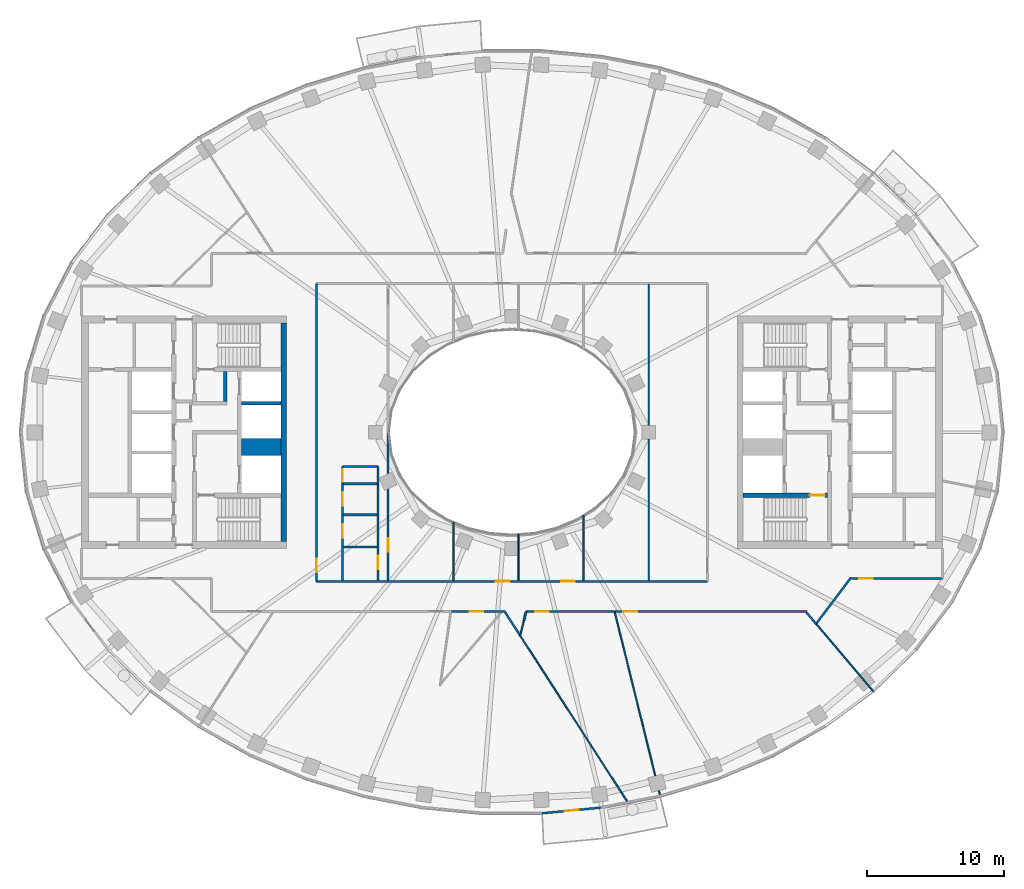
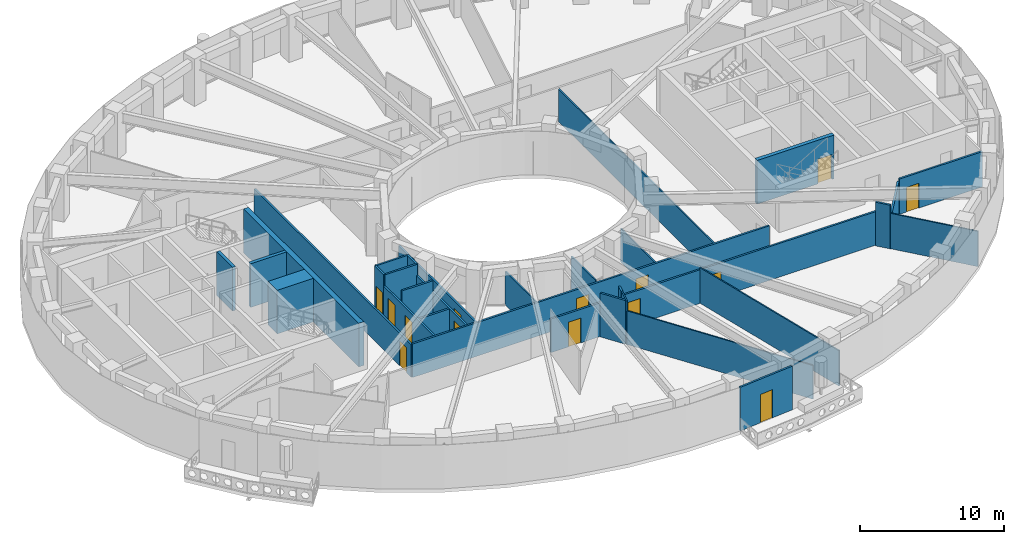
# One storey, part 4 of 16: 33 walls, 14 doors, 14 openings.
"""IFC4 building model written with IfcOpenShell, lengths in metres."""

from ifc_helpers import new_model, si_unit, direction, frame, frame_2d, origin, place, context, subcontext, project, spatial, rectangle, extrude, material, layer, layer_set, type_object, element, fill, save


model = new_model("IFC4")

# Units and contexts
model_context = context("Model", 3, precision=1e-05, world=origin(), true_north=direction((0.0, 1.0)))
body_context = subcontext(model_context, "Body", "Model", "MODEL_VIEW")
ifc_project = project(units=[si_unit("LENGTHUNIT", "METRE"), si_unit("AREAUNIT", "SQUARE_METRE"), si_unit("VOLUMEUNIT", "CUBIC_METRE"), si_unit("PLANEANGLEUNIT", "RADIAN"), si_unit("MASSUNIT", "GRAM", prefix="KILO")], contexts=[model_context])

# Site, building, storey
site_placement = place(None, origin())
site = spatial("IfcSite", under=ifc_project, at=site_placement, CompositionType="ELEMENT")
building_placement = place(site_placement, origin())
building = spatial("IfcBuilding", under=site, at=building_placement, Name="Noorbagh Ring Tower", CompositionType="ELEMENT")
storey_placement = place(building_placement, frame((0.0, 0.0, 257.5)))
storey = spatial("IfcBuildingStorey", under=building, at=storey_placement, Name="L54", CompositionType="ELEMENT", Elevation=257.5)

# Wall, opening, door
ifc_material_1 = material(Name="Gypsum board on steel studs", Category="steel")
ifc_layer_1 = layer(ifc_material_1, 0.14990234375)
ifc_layer_set_1 = layer_set([ifc_layer_1], Name="Gypsum board on steel studs")
wall_type_1 = type_object("IfcWallType", Name="COMPARTMENT PARTITION 150 EI 60", PredefinedType="PARTITIONING", material=ifc_layer_set_1)
wall_1_placement = place(storey_placement, frame((-12.39990234375, -3.760009765625, 0.0), z_axis=(0.0, 0.0, 1.0), x_axis=(0.0, 1.0, 0.0)))
wall_1 = element("IfcWall", 1, at=wall_1_placement, inside=storey, type_object=wall_type_1, Name="L54/wall/P20", PredefinedType="PARTITIONING", context=body_context, shape_type="SweptSolid", body=[
    extrude(rectangle(XDim=1.260009765625, YDim=0.14990234375, at=frame_2d((0.6298828125, 0.0))), origin(), (0.0, 0.0, 1.0), 3.699951171875),
])
opening_1_placement = place(wall_1_placement, frame((0.14990234375, 0.0, 0.0)))
opening_1 = element("IfcOpeningElement", 2, at=opening_1_placement, cuts=wall_1, Name="Opening D4", PredefinedType="OPENING", context=body_context, shape_type="SweptSolid", body=[
    extrude(rectangle(XDim=0.89990234375, YDim=2.10009765625, at=frame_2d((0.449951171875, 1.050048828125))), frame((0.0, 0.0849609375, 0.0), z_axis=(0.0, -1.0, 0.0), x_axis=(1.0, 0.0, 0.0)), (0.0, 0.0, 1.0), 0.169921875),
])
ifc_material_2 = material(Name="Timber, painted", Category="wood")
door_type_1 = type_object("IfcDoorType", Name="DOOR 900 X 2100 FD60", OperationType="SINGLE_SWING_LEFT", PredefinedType="DOOR", material=ifc_material_2)
door_1_placement = place(opening_1_placement, origin())
door_1 = element("IfcDoor", 3, at=door_1_placement, inside=storey, type_object=door_type_1, Name="L54-D05", OperationType="SINGLE_SWING_LEFT", OverallHeight=2.10009765625, OverallWidth=0.89990234375, PredefinedType="DOOR", context=body_context, shape_type="SweptSolid", body=[
    extrude(rectangle(XDim=0.89990234375, YDim=2.10009765625, at=frame_2d((0.449951171875, 1.050048828125))), frame((0.0, 0.02490234375, 0.0), z_axis=(0.0, -1.0, 0.0), x_axis=(1.0, 0.0, 0.0)), (0.0, 0.0, 1.0), 0.050048828125),
])
fill(opening_1, door_1)

# Walls
wall_2_placement = place(storey_placement, frame((-12.39990234375, -3.760009765625, 0.0), z_axis=(0.0, 0.0, 1.0), x_axis=(1.0, 0.0, 0.0)))
element("IfcWall", 4, at=wall_2_placement, inside=storey, type_object=wall_type_1, Name="L54/wall/P21", PredefinedType="PARTITIONING", context=body_context, shape_type="SweptSolid", body=[
    extrude(rectangle(XDim=2.599853515625, YDim=0.14990234375, at=frame_2d((1.2998046875, 0.0))), origin(), (0.0, 0.0, 1.0), 3.699951171875),
])
wall_3_placement = place(storey_placement, frame((-12.39990234375, -2.5, 0.0), z_axis=(0.0, 0.0, 1.0), x_axis=(1.0, 0.0, 0.0)))
element("IfcWall", 5, at=wall_3_placement, inside=storey, type_object=wall_type_1, Name="L54/wall/P22", PredefinedType="PARTITIONING", context=body_context, shape_type="SweptSolid", body=[
    extrude(rectangle(XDim=2.595947265625, YDim=0.14990234375, at=frame_2d((1.2978515625, 0.0))), origin(), (0.0, 0.0, 1.0), 3.699951171875),
])
wall_4_placement = place(storey_placement, frame((-9.800048828125, -3.760009765625, 0.0), z_axis=(0.0, 0.0, 1.0), x_axis=(0.0, 1.0, 0.0)))
element("IfcWall", 6, at=wall_4_placement, inside=storey, type_object=wall_type_1, Name="L54/wall/P24", PredefinedType="PARTITIONING", context=body_context, shape_type="SweptSolid", body=[
    extrude(rectangle(XDim=1.256103515625, YDim=0.14990234375, at=frame_2d((0.6279296875, 0.0))), origin(), (0.0, 0.0, 1.0), 3.699951171875),
])
ifc_material_3 = material(Name="Concrete C60/75", Category="concrete")
ifc_layer_2 = layer(ifc_material_3, 1.25)
ifc_layer_set_2 = layer_set([ifc_layer_2], Name="Concrete C60/75")
wall_type_2 = type_object("IfcWallType", Name="CORE-WALL-1250-C60-75-EI120", PredefinedType="SHEAR", material=ifc_layer_set_2)
wall_5_placement = place(storey_placement, frame((-16.89990234375, -1.074951171875, 0.0), z_axis=(0.0, 0.0, 1.0), x_axis=(-1.0, 0.0, 0.0)))
element("IfcWall", 7, at=wall_5_placement, inside=storey, type_object=wall_type_2, Name="Core wall W", PredefinedType="SHEAR", context=body_context, shape_type="SweptSolid", body=[
    extrude(rectangle(XDim=2.900146484375, YDim=1.25, at=frame_2d((1.4501953125, 0.0))), origin(), (0.0, 0.0, 1.0), 3.699951171875),
])
ifc_material_4 = material(Name="Concrete C60/75", Category="concrete")
ifc_layer_3 = layer(ifc_material_4, 0.25)
ifc_layer_set_3 = layer_set([ifc_layer_3], Name="Concrete C60/75")
wall_type_3 = type_object("IfcWallType", Name="CORE-WALL-250-C60-75-EI120", PredefinedType="SHEAR", material=ifc_layer_set_3)
wall_6_placement = place(storey_placement, frame((-16.89990234375, 2.125, 0.0), z_axis=(0.0, 0.0, 1.0), x_axis=(-1.0, 0.0, 0.0)))
element("IfcWall", 8, at=wall_6_placement, inside=storey, type_object=wall_type_3, Name="Core wall W", PredefinedType="SHEAR", context=body_context, shape_type="SweptSolid", body=[
    extrude(rectangle(XDim=2.900146484375, YDim=0.25, at=frame_2d((1.4501953125, 0.0))), origin(), (0.0, 0.0, 1.0), 3.699951171875),
])
ifc_material_5 = material(Name="Concrete C60/75", Category="concrete")
ifc_layer_4 = layer(ifc_material_5, 0.25)
ifc_layer_set_4 = layer_set([ifc_layer_4], Name="Concrete C60/75")
wall_type_4 = type_object("IfcWallType", Name="CORE-WALL-250-C60-75-EI240", PredefinedType="SHEAR", material=ifc_layer_set_4)
wall_7_placement = place(storey_placement, frame((-20.97509765625, 2.25, 0.0), z_axis=(0.0, 0.0, 1.0), x_axis=(0.0, 1.0, 0.0)))
element("IfcWall", 9, at=wall_7_placement, inside=storey, type_object=wall_type_4, Name="Core wall W", PredefinedType="SHEAR", context=body_context, shape_type="SweptSolid", body=[
    extrude(rectangle(XDim=2.199951171875, YDim=0.25, at=frame_2d((1.10009765625, 0.0))), origin(), (0.0, 0.0, 1.0), 3.699951171875),
])

# Wall, opening, door
ifc_material_6 = material(Name="Concrete C60/75", Category="concrete")
ifc_layer_5 = layer(ifc_material_6, 0.300048828125)
ifc_layer_set_5 = layer_set([ifc_layer_5], Name="Concrete C60/75")
wall_type_5 = type_object("IfcWallType", Name="CORE-WALL-300-C60-75-EI240", PredefinedType="SHEAR", material=ifc_layer_set_5)
wall_8_placement = place(storey_placement, frame((16.89990234375, -4.60009765625, 0.0), z_axis=(0.0, 0.0, 1.0), x_axis=(1.0, 0.0, 0.0)))
wall_8 = element("IfcWall", 10, at=wall_8_placement, inside=storey, type_object=wall_type_5, Name="Core wall E", PredefinedType="SHEAR", context=body_context, shape_type="SweptSolid", body=[
    extrude(rectangle(XDim=6.18017578125, YDim=0.300048828125, at=frame_2d((3.090087890625, 0.0))), origin(), (0.0, 0.0, 1.0), 3.699951171875),
])
opening_2_placement = place(wall_8_placement, frame((4.89990234375, 0.0, 0.0)))
opening_2 = element("IfcOpeningElement", 11, at=opening_2_placement, cuts=wall_8, Name="Opening L54-CE08", PredefinedType="OPENING", context=body_context, shape_type="SweptSolid", body=[
    extrude(rectangle(XDim=1.10009765625, YDim=2.10009765625, at=frame_2d((0.550048828125, 1.050048828125))), frame((0.0, 0.16015625, 0.0), z_axis=(0.0, -1.0, 0.0), x_axis=(1.0, 0.0, 0.0)), (0.0, 0.0, 1.0), 0.320068359375),
])
ifc_material_7 = material(Name="Steel door leaf", Category="steel")
door_type_2 = type_object("IfcDoorType", Name="CORE-DOOR-DSTAIR", OperationType="SINGLE_SWING_LEFT", PredefinedType="DOOR", material=ifc_material_7)
door_2_placement = place(opening_2_placement, origin())
door_2 = element("IfcDoor", 12, at=door_2_placement, inside=storey, type_object=door_type_2, Name="Stair door ST4 L54-CE08", OperationType="SINGLE_SWING_RIGHT", OverallHeight=2.10009765625, OverallWidth=1.10009765625, PredefinedType="DOOR", context=body_context, shape_type="SweptSolid", body=[
    extrude(rectangle(XDim=1.10009765625, YDim=2.10009765625, at=frame_2d((0.550048828125, 1.050048828125))), frame((0.0, 0.02490234375, 0.0), z_axis=(0.0, -1.0, 0.0), x_axis=(1.0, 0.0, 0.0)), (0.0, 0.0, 1.0), 0.050048828125),
])
fill(opening_2, door_2)

# Wall
ifc_material_8 = material(Name="Concrete C60/75", Category="concrete")
ifc_layer_6 = layer(ifc_material_8, 0.39990234375)
ifc_layer_set_6 = layer_set([ifc_layer_6], Name="Concrete C60/75")
wall_type_6 = type_object("IfcWallType", Name="CORE-WALL-400-C60-75-EI240", PredefinedType="SHEAR", material=ifc_layer_set_6)
wall_9_placement = place(storey_placement, frame((-16.699951171875, -8.0, 0.0), z_axis=(0.0, 0.0, 1.0), x_axis=(0.0, 1.0, 0.0)))
element("IfcWall", 13, at=wall_9_placement, inside=storey, type_object=wall_type_6, Name="Core wall W", PredefinedType="SHEAR", context=body_context, shape_type="SweptSolid", body=[
    extrude(rectangle(XDim=16.0, YDim=0.39990234375, at=frame_2d((8.0, 0.0))), origin(), (0.0, 0.0, 1.0), 3.699951171875),
])

# Wall, opening, door
ifc_material_9 = material(Name="Gypsum board on steel studs", Category="steel")
ifc_layer_7 = layer(ifc_material_9, 0.14990234375)
ifc_layer_set_7 = layer_set([ifc_layer_7], Name="Gypsum board on steel studs")
wall_type_7 = type_object("IfcWallType", Name="CORRIDOR PARTITION 150 EI 30", PredefinedType="PARTITIONING", material=ifc_layer_set_7)
wall_10_placement = place(storey_placement, frame((-14.300048828125, -10.89990234375, 0.0), z_axis=(0.0, 0.0, 1.0), x_axis=(0.0, 1.0, 0.0)))
wall_10 = element("IfcWall", 14, at=wall_10_placement, inside=storey, type_object=wall_type_7, Name="L54/wall/P14", PredefinedType="PARTITIONING", context=body_context, shape_type="SweptSolid", body=[
    extrude(rectangle(XDim=21.7998046875, YDim=0.14990234375, at=frame_2d((10.89990234375, 0.0))), origin(), (0.0, 0.0, 1.0), 2.75),
])
opening_3_placement = place(wall_10_placement, frame((0.64990234375, 0.0, 0.0)))
opening_3 = element("IfcOpeningElement", 15, at=opening_3_placement, cuts=wall_10, Name="Opening D1", PredefinedType="OPENING", context=body_context, shape_type="SweptSolid", body=[
    extrude(rectangle(XDim=1.0, YDim=2.10009765625, at=frame_2d((0.5, 1.050048828125))), frame((0.0, 0.0849609375, 0.0), z_axis=(0.0, -1.0, 0.0), x_axis=(1.0, 0.0, 0.0)), (0.0, 0.0, 1.0), 0.169921875),
])
ifc_material_10 = material(Name="Timber, painted", Category="wood")
door_type_3 = type_object("IfcDoorType", Name="DOOR 1000 X 2100 FD30", OperationType="SINGLE_SWING_LEFT", PredefinedType="DOOR", material=ifc_material_10)
door_3_placement = place(opening_3_placement, origin())
door_3 = element("IfcDoor", 16, at=door_3_placement, inside=storey, type_object=door_type_3, Name="L54-D01", OperationType="SINGLE_SWING_LEFT", OverallHeight=2.10009765625, OverallWidth=1.0, PredefinedType="DOOR", context=body_context, shape_type="SweptSolid", body=[
    extrude(rectangle(XDim=1.0, YDim=2.10009765625, at=frame_2d((0.5, 1.050048828125))), frame((0.0, 0.02490234375, 0.0), z_axis=(0.0, -1.0, 0.0), x_axis=(1.0, 0.0, 0.0)), (0.0, 0.0, 1.0), 0.050048828125),
])
fill(opening_3, door_3)

# Wall, openings, doors
wall_11_placement = place(storey_placement, frame((-14.300048828125, -10.89990234375, 0.0), z_axis=(0.0, 0.0, 1.0), x_axis=(1.0, 0.0, 0.0)))
wall_11 = element("IfcWall", 17, at=wall_11_placement, inside=storey, type_object=wall_type_7, Name="L54/wall/P15", PredefinedType="PARTITIONING", context=body_context, shape_type="SweptSolid", body=[
    extrude(rectangle(XDim=28.60009765625, YDim=0.14990234375, at=frame_2d((14.300048828125, 0.0))), origin(), (0.0, 0.0, 1.0), 2.85009765625),
])
opening_4_placement = place(wall_11_placement, frame((13.126953125, 0.0, 0.0)))
opening_4 = element("IfcOpeningElement", 18, at=opening_4_placement, cuts=wall_11, Name="Opening D1", PredefinedType="OPENING", context=body_context, shape_type="SweptSolid", body=[
    extrude(rectangle(XDim=1.0, YDim=2.10009765625, at=frame_2d((0.5, 1.050048828125))), frame((0.0, 0.0849609375, 0.0), z_axis=(0.0, -1.0, 0.0), x_axis=(1.0, 0.0, 0.0)), (0.0, 0.0, 1.0), 0.169921875),
])
opening_5_placement = place(wall_11_placement, frame((17.89306640625, 0.0, 0.0)))
opening_5 = element("IfcOpeningElement", 19, at=opening_5_placement, cuts=wall_11, Name="Opening D1", PredefinedType="OPENING", context=body_context, shape_type="SweptSolid", body=[
    extrude(rectangle(XDim=1.0, YDim=2.10009765625, at=frame_2d((0.5, 1.050048828125))), frame((0.0, 0.0849609375, 0.0), z_axis=(0.0, -1.0, 0.0), x_axis=(1.0, 0.0, 0.0)), (0.0, 0.0, 1.0), 0.169921875),
])
door_4_placement = place(opening_4_placement, origin())
door_4 = element("IfcDoor", 20, at=door_4_placement, inside=storey, type_object=door_type_3, Name="L54-D21", OperationType="SINGLE_SWING_LEFT", OverallHeight=2.10009765625, OverallWidth=1.0, PredefinedType="DOOR", context=body_context, shape_type="SweptSolid", body=[
    extrude(rectangle(XDim=1.0, YDim=2.10009765625, at=frame_2d((0.5, 1.050048828125))), frame((0.0, 0.02490234375, 0.0), z_axis=(0.0, -1.0, 0.0), x_axis=(1.0, 0.0, 0.0)), (0.0, 0.0, 1.0), 0.050048828125),
])
fill(opening_4, door_4)
door_5_placement = place(opening_5_placement, origin())
door_5 = element("IfcDoor", 21, at=door_5_placement, inside=storey, type_object=door_type_3, Name="L54-D23", OperationType="SINGLE_SWING_LEFT", OverallHeight=2.10009765625, OverallWidth=1.0, PredefinedType="DOOR", context=body_context, shape_type="SweptSolid", body=[
    extrude(rectangle(XDim=1.0, YDim=2.10009765625, at=frame_2d((0.5, 1.050048828125))), frame((0.0, 0.02490234375, 0.0), z_axis=(0.0, -1.0, 0.0), x_axis=(1.0, 0.0, 0.0)), (0.0, 0.0, 1.0), 0.050048828125),
])
fill(opening_5, door_5)

wall_12_placement = place(storey_placement, frame((-12.39990234375, -10.824951171875, 0.0), z_axis=(0.0, 0.0, 1.0), x_axis=(0.0, 1.0, 0.0)))
wall_12 = element("IfcWall", 22, at=wall_12_placement, inside=storey, type_object=wall_type_7, Name="L54/wall/P17", PredefinedType="PARTITIONING", context=body_context, shape_type="SweptSolid", body=[
    extrude(rectangle(XDim=7.06494140625, YDim=0.14990234375, at=frame_2d((3.532470703125, 0.0))), origin(), (0.0, 0.0, 1.0), 2.75),
])
opening_6_placement = place(wall_12_placement, frame((3.094970703125, 0.0, 0.0)))
opening_6 = element("IfcOpeningElement", 23, at=opening_6_placement, cuts=wall_12, Name="Opening D3", PredefinedType="OPENING", context=body_context, shape_type="SweptSolid", body=[
    extrude(rectangle(XDim=1.0, YDim=2.10009765625, at=frame_2d((0.5, 1.050048828125))), frame((0.0, 0.0849609375, 0.0), z_axis=(0.0, -1.0, 0.0), x_axis=(1.0, 0.0, 0.0)), (0.0, 0.0, 1.0), 0.169921875),
])
opening_7_placement = place(wall_12_placement, frame((5.447021484375, 0.0, 0.0)))
opening_7 = element("IfcOpeningElement", 24, at=opening_7_placement, cuts=wall_12, Name="Opening D3", PredefinedType="OPENING", context=body_context, shape_type="SweptSolid", body=[
    extrude(rectangle(XDim=1.0, YDim=2.10009765625, at=frame_2d((0.5, 1.050048828125))), frame((0.0, 0.0849609375, 0.0), z_axis=(0.0, -1.0, 0.0), x_axis=(1.0, 0.0, 0.0)), (0.0, 0.0, 1.0), 0.169921875),
])
ifc_material_11 = material(Name="Timber, painted", Category="wood")
door_type_4 = type_object("IfcDoorType", Name="DOOR 1000 X 2100 WC", OperationType="SINGLE_SWING_LEFT", PredefinedType="DOOR", material=ifc_material_11)
door_6_placement = place(opening_6_placement, origin())
door_6 = element("IfcDoor", 25, at=door_6_placement, inside=storey, type_object=door_type_4, Name="L54-D03", OperationType="SINGLE_SWING_LEFT", OverallHeight=2.10009765625, OverallWidth=1.0, PredefinedType="DOOR", context=body_context, shape_type="SweptSolid", body=[
    extrude(rectangle(XDim=1.0, YDim=2.10009765625, at=frame_2d((0.5, 1.050048828125))), frame((0.0, 0.02490234375, 0.0), z_axis=(0.0, -1.0, 0.0), x_axis=(1.0, 0.0, 0.0)), (0.0, 0.0, 1.0), 0.050048828125),
])
fill(opening_6, door_6)
door_7_placement = place(opening_7_placement, origin())
door_7 = element("IfcDoor", 26, at=door_7_placement, inside=storey, type_object=door_type_4, Name="L54-D04", OperationType="SINGLE_SWING_RIGHT", OverallHeight=2.10009765625, OverallWidth=1.0, PredefinedType="DOOR", context=body_context, shape_type="SweptSolid", body=[
    extrude(rectangle(XDim=1.0, YDim=2.10009765625, at=frame_2d((0.5, 1.050048828125))), frame((0.0, 0.02490234375, 0.0), z_axis=(0.0, -1.0, 0.0), x_axis=(1.0, 0.0, 0.0)), (0.0, 0.0, 1.0), 0.050048828125),
])
fill(opening_7, door_7)

# Walls
wall_13_placement = place(storey_placement, frame((-12.324951171875, -8.3798828125, 0.0), z_axis=(0.0, 0.0, 1.0), x_axis=(1.0, 0.0, 0.0)))
element("IfcWall", 27, at=wall_13_placement, inside=storey, type_object=wall_type_7, Name="L54/wall/P18", PredefinedType="PARTITIONING", context=body_context, shape_type="SweptSolid", body=[
    extrude(rectangle(XDim=2.449951171875, YDim=0.14990234375, at=frame_2d((1.22509765625, 0.0))), origin(), (0.0, 0.0, 1.0), 2.75),
])
wall_14_placement = place(storey_placement, frame((-12.324951171875, -6.028076171875, 0.0), z_axis=(0.0, 0.0, 1.0), x_axis=(1.0, 0.0, 0.0)))
element("IfcWall", 28, at=wall_14_placement, inside=storey, type_object=wall_type_7, Name="L54/wall/P19", PredefinedType="PARTITIONING", context=body_context, shape_type="SweptSolid", body=[
    extrude(rectangle(XDim=2.449951171875, YDim=0.14990234375, at=frame_2d((1.22509765625, 0.0))), origin(), (0.0, 0.0, 1.0), 3.699951171875),
])

# Wall, opening, door
wall_15_placement = place(storey_placement, frame((-9.800048828125, -10.824951171875, 0.0), z_axis=(0.0, 0.0, 1.0), x_axis=(0.0, 1.0, 0.0)))
wall_15 = element("IfcWall", 29, at=wall_15_placement, inside=storey, type_object=wall_type_7, Name="L54/wall/P23", PredefinedType="PARTITIONING", context=body_context, shape_type="SweptSolid", body=[
    extrude(rectangle(XDim=7.06494140625, YDim=0.14990234375, at=frame_2d((3.532470703125, 0.0))), origin(), (0.0, 0.0, 1.0), 2.75),
])
opening_8_placement = place(wall_15_placement, frame((0.794921875, 0.0, 0.0)))
opening_8 = element("IfcOpeningElement", 30, at=opening_8_placement, cuts=wall_15, Name="Opening D3", PredefinedType="OPENING", context=body_context, shape_type="SweptSolid", body=[
    extrude(rectangle(XDim=1.0, YDim=2.10009765625, at=frame_2d((0.5, 1.050048828125))), frame((0.0, 0.0849609375, 0.0), z_axis=(0.0, -1.0, 0.0), x_axis=(1.0, 0.0, 0.0)), (0.0, 0.0, 1.0), 0.169921875),
])
door_8_placement = place(opening_8_placement, origin())
door_8 = element("IfcDoor", 31, at=door_8_placement, inside=storey, type_object=door_type_4, Name="L54-D02", OperationType="SINGLE_SWING_RIGHT", OverallHeight=2.10009765625, OverallWidth=1.0, PredefinedType="DOOR", context=body_context, shape_type="SweptSolid", body=[
    extrude(rectangle(XDim=1.0, YDim=2.10009765625, at=frame_2d((0.5, 1.050048828125))), frame((0.0, 0.02490234375, 0.0), z_axis=(0.0, -1.0, 0.0), x_axis=(1.0, 0.0, 0.0)), (0.0, 0.0, 1.0), 0.050048828125),
])
fill(opening_8, door_8)

wall_16_placement = place(storey_placement, frame((-9.056884765625, -10.824951171875, 0.0), z_axis=(0.0, 0.0, 1.0), x_axis=(0.0, 1.0, 0.0)))
wall_16 = element("IfcWall", 32, at=wall_16_placement, inside=storey, type_object=wall_type_7, Name="L54/wall/P25", PredefinedType="PARTITIONING", context=body_context, shape_type="SweptSolid", body=[
    extrude(rectangle(XDim=10.780029296875, YDim=0.14990234375, at=frame_2d((5.39013671875, 0.0))), origin(), (0.0, 0.0, 1.0), 2.75),
])
opening_9_placement = place(wall_16_placement, frame((2.074951171875, 0.0, 0.0)))
opening_9 = element("IfcOpeningElement", 33, at=opening_9_placement, cuts=wall_16, Name="Opening D1", PredefinedType="OPENING", context=body_context, shape_type="SweptSolid", body=[
    extrude(rectangle(XDim=1.0, YDim=2.10009765625, at=frame_2d((0.5, 1.050048828125))), frame((0.0, 0.0849609375, 0.0), z_axis=(0.0, -1.0, 0.0), x_axis=(1.0, 0.0, 0.0)), (0.0, 0.0, 1.0), 0.169921875),
])
door_9_placement = place(opening_9_placement, origin())
door_9 = element("IfcDoor", 34, at=door_9_placement, inside=storey, type_object=door_type_3, Name="L54-D19", OperationType="SINGLE_SWING_LEFT", OverallHeight=2.10009765625, OverallWidth=1.0, PredefinedType="DOOR", context=body_context, shape_type="SweptSolid", body=[
    extrude(rectangle(XDim=1.0, YDim=2.10009765625, at=frame_2d((0.5, 1.050048828125))), frame((0.0, 0.02490234375, 0.0), z_axis=(0.0, -1.0, 0.0), x_axis=(1.0, 0.0, 0.0)), (0.0, 0.0, 1.0), 0.050048828125),
])
fill(opening_9, door_9)

wall_17_placement = place(storey_placement, frame((-4.472900390625, -13.10009765625, 0.0), z_axis=(0.0, 0.0, 1.0), x_axis=(1.0, 0.0, 0.0)))
wall_17 = element("IfcWall", 35, at=wall_17_placement, inside=storey, type_object=wall_type_7, Name="L54/wall/P29", PredefinedType="PARTITIONING", context=body_context, shape_type="SweptSolid", body=[
    extrude(rectangle(XDim=4.014892578125, YDim=0.14990234375, at=frame_2d((2.00732421875, 0.0))), origin(), (0.0, 0.0, 1.0), 2.85009765625),
])
opening_10_placement = place(wall_17_placement, frame((1.3798828125, 0.0, 0.0)))
opening_10 = element("IfcOpeningElement", 36, at=opening_10_placement, cuts=wall_17, Name="Opening D1", PredefinedType="OPENING", context=body_context, shape_type="SweptSolid", body=[
    extrude(rectangle(XDim=1.0, YDim=2.10009765625, at=frame_2d((0.5, 1.050048828125))), frame((0.0, 0.0849609375, 0.0), z_axis=(0.0, -1.0, 0.0), x_axis=(1.0, 0.0, 0.0)), (0.0, 0.0, 1.0), 0.169921875),
])
door_10_placement = place(opening_10_placement, origin())
door_10 = element("IfcDoor", 37, at=door_10_placement, inside=storey, type_object=door_type_3, Name="L54-D12", OperationType="SINGLE_SWING_RIGHT", OverallHeight=2.10009765625, OverallWidth=1.0, PredefinedType="DOOR", context=body_context, shape_type="SweptSolid", body=[
    extrude(rectangle(XDim=1.0, YDim=2.10009765625, at=frame_2d((0.5, 1.050048828125))), frame((0.0, 0.02490234375, 0.0), z_axis=(0.0, -1.0, 0.0), x_axis=(1.0, 0.0, 0.0)), (0.0, 0.0, 1.0), 0.050048828125),
])
fill(opening_10, door_10)

# Walls
wall_18_placement = place(storey_placement, frame((-0.4990234375, -13.175048828125, 0.0), z_axis=(0.0, 0.0, 1.0), x_axis=(0.543076749494, -0.839683061732, 0.0)))
element("IfcWall", 38, at=wall_18_placement, inside=storey, type_object=wall_type_7, Name="L54/wall/P33", PredefinedType="PARTITIONING", context=body_context, shape_type="SweptSolid", body=[
    extrude(rectangle(XDim=1.97216796875, YDim=0.14990234375, at=frame_2d((0.986083984375, 0.0))), origin(), (0.0, 0.0, 1.0), 3.699951171875),
])
wall_19_placement = place(storey_placement, frame((0.8720703125, -13.760986328125, 0.0), z_axis=(0.0, 0.0, 1.0), x_axis=(0.241387149241, 0.970428897025, 0.0)))
element("IfcWall", 39, at=wall_19_placement, inside=storey, type_object=wall_type_7, Name="L54/wall/P41", PredefinedType="PARTITIONING", context=body_context, shape_type="SweptSolid", body=[
    extrude(rectangle(XDim=0.650390625, YDim=0.14990234375, at=frame_2d((0.3251953125, 0.0))), origin(), (0.0, 0.0, 1.0), 3.699951171875),
])

# Wall, opening, door
wall_20_placement = place(storey_placement, frame((1.035888671875, -13.10009765625, 0.0), z_axis=(0.0, 0.0, 1.0), x_axis=(1.0, 0.0, 0.0)))
wall_20 = element("IfcWall", 40, at=wall_20_placement, inside=storey, type_object=wall_type_7, Name="L54/wall/P42", PredefinedType="PARTITIONING", context=body_context, shape_type="SweptSolid", body=[
    extrude(rectangle(XDim=6.47119140625, YDim=0.14990234375, at=frame_2d((3.235595703125, 0.0))), origin(), (0.0, 0.0, 1.0), 2.85009765625),
])
opening_11_placement = place(wall_20_placement, frame((0.64990234375, 0.0, 0.0)))
opening_11 = element("IfcOpeningElement", 41, at=opening_11_placement, cuts=wall_20, Name="Opening D1", PredefinedType="OPENING", context=body_context, shape_type="SweptSolid", body=[
    extrude(rectangle(XDim=1.0, YDim=2.10009765625, at=frame_2d((0.5, 1.050048828125))), frame((0.0, 0.0849609375, 0.0), z_axis=(0.0, -1.0, 0.0), x_axis=(1.0, 0.0, 0.0)), (0.0, 0.0, 1.0), 0.169921875),
])
door_11_placement = place(opening_11_placement, origin())
door_11 = element("IfcDoor", 42, at=door_11_placement, inside=storey, type_object=door_type_3, Name="L54-D13", OperationType="SINGLE_SWING_LEFT", OverallHeight=2.10009765625, OverallWidth=1.0, PredefinedType="DOOR", context=body_context, shape_type="SweptSolid", body=[
    extrude(rectangle(XDim=1.0, YDim=2.10009765625, at=frame_2d((0.5, 1.050048828125))), frame((0.0, 0.02490234375, 0.0), z_axis=(0.0, -1.0, 0.0), x_axis=(1.0, 0.0, 0.0)), (0.0, 0.0, 1.0), 0.050048828125),
])
fill(opening_11, door_11)

wall_21_placement = place(storey_placement, frame((7.52392578125, -13.10009765625, 0.0), z_axis=(0.0, 0.0, 1.0), x_axis=(1.0, 0.0, 0.0)))
wall_21 = element("IfcWall", 43, at=wall_21_placement, inside=storey, type_object=wall_type_7, Name="L54/wall/P48", PredefinedType="PARTITIONING", context=body_context, shape_type="SweptSolid", body=[
    extrude(rectangle(XDim=14.052001953125, YDim=0.14990234375, at=frame_2d((7.02587890625, 0.0))), origin(), (0.0, 0.0, 1.0), 2.85009765625),
])
opening_12_placement = place(wall_21_placement, frame((0.633056640625, 0.0, 0.0)))
opening_12 = element("IfcOpeningElement", 44, at=opening_12_placement, cuts=wall_21, Name="Opening D1", PredefinedType="OPENING", context=body_context, shape_type="SweptSolid", body=[
    extrude(rectangle(XDim=1.0, YDim=2.10009765625, at=frame_2d((0.5, 1.050048828125))), frame((0.0, 0.0849609375, 0.0), z_axis=(0.0, -1.0, 0.0), x_axis=(1.0, 0.0, 0.0)), (0.0, 0.0, 1.0), 0.169921875),
])
door_12_placement = place(opening_12_placement, origin())
door_12 = element("IfcDoor", 45, at=door_12_placement, inside=storey, type_object=door_type_3, Name="L54-D15", OperationType="SINGLE_SWING_LEFT", OverallHeight=2.10009765625, OverallWidth=1.0, PredefinedType="DOOR", context=body_context, shape_type="SweptSolid", body=[
    extrude(rectangle(XDim=1.0, YDim=2.10009765625, at=frame_2d((0.5, 1.050048828125))), frame((0.0, 0.02490234375, 0.0), z_axis=(0.0, -1.0, 0.0), x_axis=(1.0, 0.0, 0.0)), (0.0, 0.0, 1.0), 0.050048828125),
])
fill(opening_12, door_12)

# Walls
wall_22_placement = place(storey_placement, frame((21.541015625, -13.175048828125, 0.0), z_axis=(0.0, 0.0, 1.0), x_axis=(0.646460291141, -0.762947633837, 0.0)))
element("IfcWall", 46, at=wall_22_placement, inside=storey, type_object=wall_type_7, Name="L54/wall/P52", PredefinedType="PARTITIONING", context=body_context, shape_type="SweptSolid", body=[
    extrude(rectangle(XDim=1.09814453125, YDim=0.14990234375, at=frame_2d((0.549072265625, 0.0))), origin(), (0.0, 0.0, 1.0), 3.699951171875),
])
wall_23_placement = place(storey_placement, frame((22.2509765625, -14.012939453125, 0.0), z_axis=(0.0, 0.0, 1.0), x_axis=(0.602435944628, 0.798167233492, 0.0)))
element("IfcWall", 47, at=wall_23_placement, inside=storey, type_object=wall_type_7, Name="L54/wall/P54", PredefinedType="PARTITIONING", context=body_context, shape_type="SweptSolid", body=[
    extrude(rectangle(XDim=4.24462890625, YDim=0.14990234375, at=frame_2d((2.122314453125, 0.0))), origin(), (0.0, 0.0, 1.0), 2.75),
])

# Wall, opening, door
wall_24_placement = place(storey_placement, frame((24.844970703125, -10.699951171875, 0.0), z_axis=(0.0, 0.0, 1.0), x_axis=(1.0, 0.0, 0.0)))
wall_24 = element("IfcWall", 48, at=wall_24_placement, inside=storey, type_object=wall_type_7, Name="L54/wall/P58", PredefinedType="PARTITIONING", context=body_context, shape_type="SweptSolid", body=[
    extrude(rectangle(XDim=6.655029296875, YDim=0.14990234375, at=frame_2d((3.32763671875, 0.0))), origin(), (0.0, 0.0, 1.0), 3.0),
])
opening_13_placement = place(wall_24_placement, frame((0.555908203125, 0.0, 0.0)))
opening_13 = element("IfcOpeningElement", 49, at=opening_13_placement, cuts=wall_24, Name="Opening D1", PredefinedType="OPENING", context=body_context, shape_type="SweptSolid", body=[
    extrude(rectangle(XDim=1.0, YDim=2.10009765625, at=frame_2d((0.5, 1.050048828125))), frame((0.0, 0.0849609375, 0.0), z_axis=(0.0, -1.0, 0.0), x_axis=(1.0, 0.0, 0.0)), (0.0, 0.0, 1.0), 0.169921875),
])
door_13_placement = place(opening_13_placement, origin())
door_13 = element("IfcDoor", 50, at=door_13_placement, inside=storey, type_object=door_type_3, Name="L54-D17", OperationType="SINGLE_SWING_LEFT", OverallHeight=2.10009765625, OverallWidth=1.0, PredefinedType="DOOR", context=body_context, shape_type="SweptSolid", body=[
    extrude(rectangle(XDim=1.0, YDim=2.10009765625, at=frame_2d((0.5, 1.050048828125))), frame((0.0, 0.02490234375, 0.0), z_axis=(0.0, -1.0, 0.0), x_axis=(1.0, 0.0, 0.0)), (0.0, 0.0, 1.0), 0.050048828125),
])
fill(opening_13, door_13)

ifc_material_12 = material(Name="Insulated aluminium clad panel", Category="aluminium")
ifc_layer_8 = layer(ifc_material_12, 0.14990234375)
ifc_layer_set_8 = layer_set([ifc_layer_8], Name="Insulated aluminium clad panel")
wall_type_8 = type_object("IfcWallType", Name="ENV-WALL-DOOR", PredefinedType="STANDARD", material=ifc_layer_set_8)
wall_25_placement = place(storey_placement, frame((2.166259765625, -27.875244140625, 0.0), z_axis=(0.0, 0.0, 1.0), x_axis=(0.995473879823, 0.095035543824, 0.0)))
wall_25 = element("IfcWall", 51, at=wall_25_placement, inside=storey, type_object=wall_type_8, Name="Balcony door wall chord 36", PredefinedType="STANDARD", context=body_context, shape_type="SweptSolid", body=[
    extrude(rectangle(XDim=4.42626953125, YDim=0.14990234375, at=frame_2d((2.213134765625, 0.0))), origin(), (0.0, 0.0, 1.0), 3.699951171875),
])
opening_14_placement = place(wall_25_placement, frame((1.713134765625, 0.0, 0.0)))
opening_14 = element("IfcOpeningElement", 52, at=opening_14_placement, cuts=wall_25, Name="Opening D-BL", PredefinedType="OPENING", context=body_context, shape_type="SweptSolid", body=[
    extrude(rectangle(XDim=1.0, YDim=2.39990234375, at=frame_2d((0.5, 1.199951171875))), frame((0.0, 0.0849609375, 0.0), z_axis=(0.0, -1.0, 0.0), x_axis=(1.0, 0.0, 0.0)), (0.0, 0.0, 1.0), 0.169921875),
])
ifc_material_13 = material(Name="Aluminium and glass", Category="aluminium")
door_type_5 = type_object("IfcDoorType", Name="ENV-DOOR-BALCONY", OperationType="SINGLE_SWING_LEFT", PredefinedType="DOOR", material=ifc_material_13)
door_14_placement = place(opening_14_placement, origin())
door_14 = element("IfcDoor", 53, at=door_14_placement, inside=storey, type_object=door_type_5, Name="Balcony door chord 36", OperationType="SINGLE_SWING_LEFT", OverallHeight=2.39990234375, OverallWidth=1.0, PredefinedType="DOOR", context=body_context, shape_type="SweptSolid", body=[
    extrude(rectangle(XDim=1.0, YDim=2.39990234375, at=frame_2d((0.5, 1.199951171875))), frame((0.0, 0.02490234375, 0.0), z_axis=(0.0, -1.0, 0.0), x_axis=(1.0, 0.0, 0.0)), (0.0, 0.0, 1.0), 0.050048828125),
])
fill(opening_14, door_14)

# Walls
ifc_material_14 = material(Name="Gypsum board on steel studs", Category="steel")
ifc_layer_9 = layer(ifc_material_14, 0.10009765625)
ifc_layer_set_9 = layer_set([ifc_layer_9], Name="Gypsum board on steel studs")
wall_type_9 = type_object("IfcWallType", Name="PARTITION 100 GYPSUM", PredefinedType="PARTITIONING", material=ifc_layer_set_9)
wall_26_placement = place(storey_placement, frame((-4.2900390625, -10.824951171875, 0.0), z_axis=(0.0, 0.0, 1.0), x_axis=(0.0, 1.0, 0.0)))
element("IfcWall", 54, at=wall_26_placement, inside=storey, type_object=wall_type_9, Name="L54/wall/P30", PredefinedType="PARTITIONING", context=body_context, shape_type="SweptSolid", body=[
    extrude(rectangle(XDim=4.2568359375, YDim=0.10009765625, at=frame_2d((2.12841796875, 0.0))), origin(), (0.0, 0.0, 1.0), 2.85009765625),
])
wall_27_placement = place(storey_placement, frame((0.47705078125, -10.824951171875, 0.0), z_axis=(0.0, 0.0, 1.0), x_axis=(0.0, 1.0, 0.0)))
element("IfcWall", 55, at=wall_27_placement, inside=storey, type_object=wall_type_9, Name="L54/wall/P36", PredefinedType="PARTITIONING", context=body_context, shape_type="SweptSolid", body=[
    extrude(rectangle(XDim=3.35693359375, YDim=0.10009765625, at=frame_2d((1.678466796875, 0.0))), origin(), (0.0, 0.0, 1.0), 3.0),
])
wall_28_placement = place(storey_placement, frame((0.58203125, -14.94091796875, 0.0), z_axis=(0.0, 0.0, 1.0), x_axis=(0.239461959579, 0.970905747184, 0.0)))
element("IfcWall", 56, at=wall_28_placement, inside=storey, type_object=wall_type_9, Name="L54/wall/P38", PredefinedType="PARTITIONING", context=body_context, shape_type="SweptSolid", body=[
    extrude(rectangle(XDim=1.21533203125, YDim=0.10009765625, at=frame_2d((0.607666015625, 0.0))), origin(), (0.0, 0.0, 1.0), 3.699951171875),
])
wall_29_placement = place(storey_placement, frame((0.635009765625, -14.931884765625, 0.0), z_axis=(0.0, 0.0, 1.0), x_axis=(0.54231954128, -0.840172312771, 0.0)))
element("IfcWall", 57, at=wall_29_placement, inside=storey, type_object=wall_type_9, Name="L54/wall/P39", PredefinedType="PARTITIONING", context=body_context, shape_type="SweptSolid", body=[
    extrude(rectangle(XDim=14.487548828125, YDim=0.10009765625, at=frame_2d((7.24365234375, 0.0))), origin(), (0.0, 0.0, 1.0), 2.85009765625),
])
wall_30_placement = place(storey_placement, frame((5.242919921875, -10.824951171875, 0.0), z_axis=(0.0, 0.0, 1.0), x_axis=(0.0, 1.0, 0.0)))
element("IfcWall", 58, at=wall_30_placement, inside=storey, type_object=wall_type_9, Name="L54/wall/P44", PredefinedType="PARTITIONING", context=body_context, shape_type="SweptSolid", body=[
    extrude(rectangle(XDim=4.765869140625, YDim=0.10009765625, at=frame_2d((2.3828125, 0.0))), origin(), (0.0, 0.0, 1.0), 2.85009765625),
])
wall_31_placement = place(storey_placement, frame((7.507080078125, -13.10009765625, 0.0), z_axis=(0.0, 0.0, 1.0), x_axis=(0.239932883661, -0.970789478382, 0.0)))
element("IfcWall", 59, at=wall_31_placement, inside=storey, type_object=wall_type_9, Name="L54/wall/P46", PredefinedType="PARTITIONING", context=body_context, shape_type="SweptSolid", body=[
    extrude(rectangle(XDim=13.953369140625, YDim=0.10009765625, at=frame_2d((6.9765625, 0.0))), origin(), (0.0, 0.0, 1.0), 3.0),
])
wall_32_placement = place(storey_placement, frame((10.010009765625, -10.824951171875, 0.0), z_axis=(0.0, 0.0, 1.0), x_axis=(0.0, 1.0, 0.0)))
element("IfcWall", 60, at=wall_32_placement, inside=storey, type_object=wall_type_9, Name="L54/wall/P50", PredefinedType="PARTITIONING", context=body_context, shape_type="SweptSolid", body=[
    extrude(rectangle(XDim=21.64990234375, YDim=0.10009765625, at=frame_2d((10.824951171875, 0.0))), origin(), (0.0, 0.0, 1.0), 2.75),
])
wall_33_placement = place(storey_placement, frame((22.2509765625, -14.012939453125, 0.0), z_axis=(0.0, 0.0, 1.0), x_axis=(0.646448300096, -0.76295779392, 0.0)))
element("IfcWall", 61, at=wall_33_placement, inside=storey, type_object=wall_type_9, Name="L54/wall/P55", PredefinedType="PARTITIONING", context=body_context, shape_type="SweptSolid", body=[
    extrude(rectangle(XDim=6.464599609375, YDim=0.10009765625, at=frame_2d((3.232421875, 0.0))), origin(), (0.0, 0.0, 1.0), 3.0),
])

save(model, "model.ifc")
